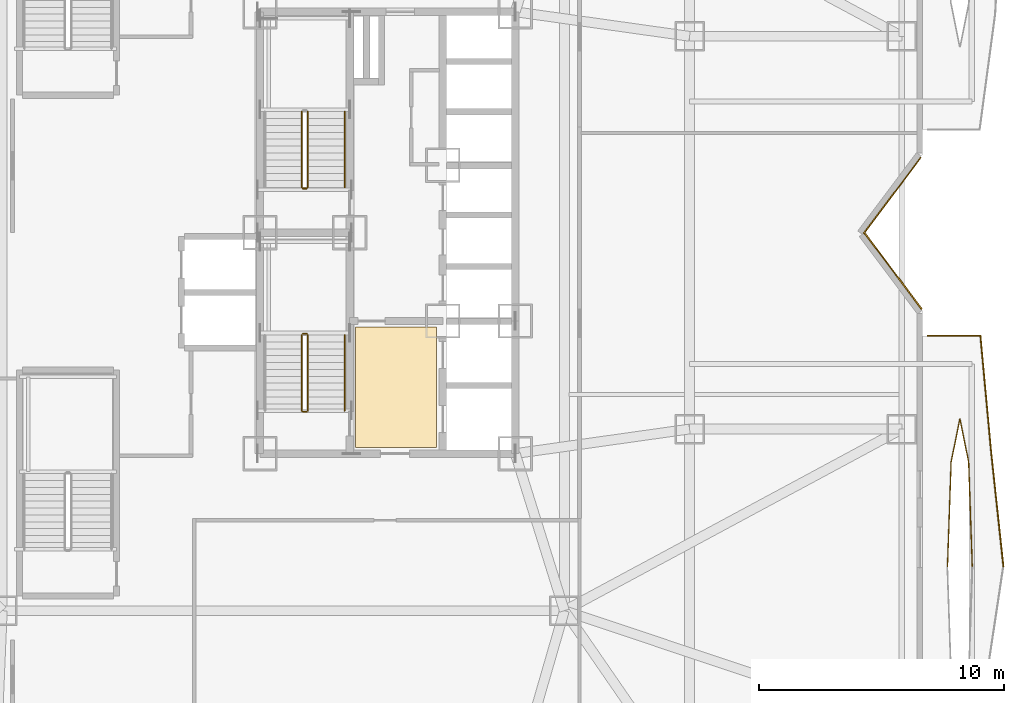
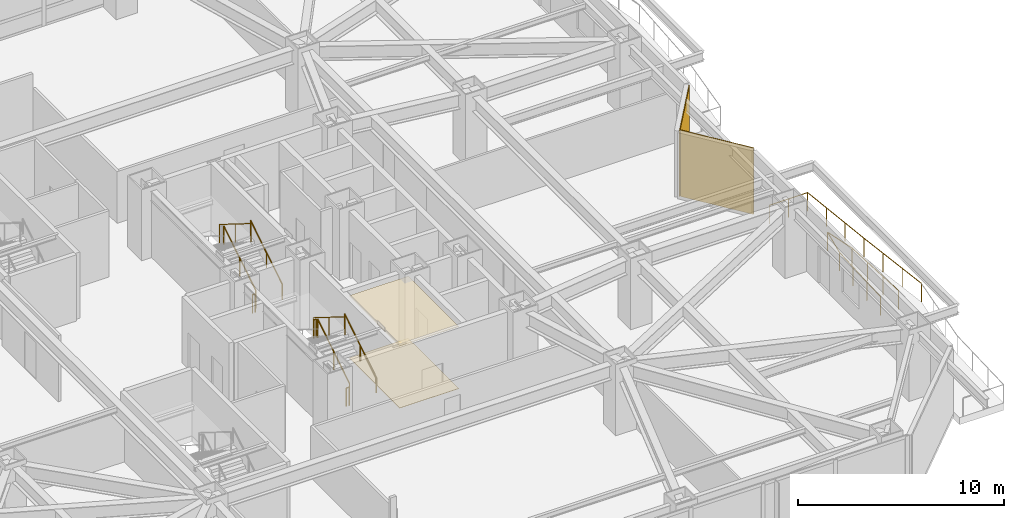
# One storey, part 29 of 32: 11 railings, 4 coverings.
"""IFC4 building model written with IfcOpenShell, lengths in metres."""

from ifc_helpers import new_model, si_unit, direction, frame, origin, origin_2d, place, context, subcontext, project, spatial, polyline, rectangle, circle, outline, extrude, material, layer, layer_set, type_object, element, save


model = new_model("IFC4")

# Units and contexts
model_context = context("Model", 3, precision=1e-05, world=origin(), true_north=direction((0.0, 1.0)))
body_context = subcontext(model_context, "Body", "Model", "MODEL_VIEW")
ifc_project = project(units=[si_unit("LENGTHUNIT", "METRE"), si_unit("AREAUNIT", "SQUARE_METRE"), si_unit("VOLUMEUNIT", "CUBIC_METRE"), si_unit("PLANEANGLEUNIT", "RADIAN"), si_unit("MASSUNIT", "GRAM", prefix="KILO")], contexts=[model_context])

# Site, building, storey
site_placement = place(None, origin())
site = spatial("IfcSite", under=ifc_project, at=site_placement, CompositionType="ELEMENT")
building_placement = place(site_placement, origin())
building = spatial("IfcBuilding", under=site, at=building_placement, Name="Khamvora Tower", CompositionType="ELEMENT")
storey_placement = place(building_placement, frame((0.0, 0.0, 12.0)))
storey = spatial("IfcBuildingStorey", under=building, at=storey_placement, Name="L02", CompositionType="ELEMENT", Elevation=12.0)

# Coverings
ifc_material_1 = material(Name="Perforated Mineral-Fibre Acoustic Ceiling Tile", Category="gypsum")
ifc_layer_1 = layer(ifc_material_1, 0.02490234375)
ifc_layer_set_1 = layer_set([ifc_layer_1], Name="Perforated Mineral-Fibre Acoustic Ceiling Tile")
covering_type_1 = type_object("IfcCoveringType", Name="COV-CEIL-600", PredefinedType="CEILING", material=ifc_layer_set_1)
covering_1_placement = place(storey_placement, frame((0.0, 0.0, 3.669921875)))
element("IfcCovering", 1, at=covering_1_placement, inside=storey, type_object=covering_type_1, Name="L02 core lobby suspended acoustic ceiling", PredefinedType="CEILING", context=body_context, shape_type="SweptSolid", body=[
    extrude(outline(polyline([(32.89990234375, 19.25), (36.199951171875, 19.25), (36.199951171875, 24.14990234375), (32.89990234375, 24.14990234375), (32.89990234375, 19.25)])), origin(), (0.0, 0.0, 1.0), 0.025146484375),
])
ifc_material_2 = material(Name="Pale Anodised Aluminium Rainscreen Panel", Category="aluminium")
ifc_layer_2 = layer(ifc_material_2, 0.044921875)
ifc_layer_set_2 = layer_set([ifc_layer_2], Name="Pale Anodised Aluminium Rainscreen Panel")
covering_type_2 = type_object("IfcCoveringType", Name="COV-CLD-ALU", PredefinedType="CLADDING", material=ifc_layer_set_2)
covering_2_placement = place(storey_placement, frame((54.756103515625, 29.511962890625, 0.0), z_axis=(0.0, 0.0, 1.0), x_axis=(-0.600040135704, -0.799969896649, 0.0)))
element("IfcCovering", 2, at=covering_2_placement, inside=storey, type_object=covering_type_2, Name="L02 chamfer rainscreen cladding 10.1", PredefinedType="CLADDING", context=body_context, shape_type="SweptSolid", body=[
    extrude(rectangle(XDim=3.885986328125, YDim=0.044921875, at=origin_2d()), origin(), (0.0, 0.0, 1.0), 3.919921875),
])
ifc_material_3 = material(Name="Anodised Bronze Aluminium Spandrel Panel", Category="aluminium")
ifc_layer_3 = layer(ifc_material_3, 0.054931640625)
ifc_layer_set_3 = layer_set([ifc_layer_3], Name="Anodised Bronze Aluminium Spandrel Panel")
covering_type_3 = type_object("IfcCoveringType", Name="COV-CLD-BRZ", PredefinedType="CLADDING", material=ifc_layer_set_3)
covering_3_placement = place(storey_placement, frame((54.806884765625, 26.4208984375, 0.0), z_axis=(0.0, 0.0, 1.0), x_axis=(0.600000000002, -0.799999999998, 0.0)))
element("IfcCovering", 3, at=covering_3_placement, inside=storey, type_object=covering_type_3, Name="L02 chamfer rainscreen cladding 11.1", PredefinedType="CLADDING", context=body_context, shape_type="SweptSolid", body=[
    extrude(rectangle(XDim=3.844970703125, YDim=0.054931640625, at=origin_2d()), origin(), (0.0, 0.0, 1.0), 3.919921875),
])
ifc_material_4 = material(Name="Honed Terrazzo Stone Tile", Category="masonry")
ifc_layer_4 = layer(ifc_material_4, 0.02001953125)
ifc_layer_set_4 = layer_set([ifc_layer_4], Name="Honed Terrazzo Stone Tile")
covering_type_4 = type_object("IfcCoveringType", Name="COV-FLOR-20", PredefinedType="FLOORING", material=ifc_layer_set_4)
covering_4_placement = place(storey_placement, origin())
element("IfcCovering", 4, at=covering_4_placement, inside=storey, type_object=covering_type_4, Name="L02 lift lobby terrazzo flooring", PredefinedType="FLOORING", context=body_context, shape_type="SweptSolid", body=[
    extrude(outline(polyline([(32.89990234375, 19.25), (36.199951171875, 19.25), (36.199951171875, 24.14990234375), (32.89990234375, 24.14990234375), (32.89990234375, 19.25)])), origin(), (0.0, 0.0, 1.0), 0.02001953125),
])

# Railings
ifc_material_5 = material(Name="Stainless Steel 316 and Laminated Glass", Category="steel")
railing_type_1 = type_object("IfcRailingType", Name="RAL-GAL-1120", PredefinedType="GUARDRAIL", material=ifc_material_5)
railing_1_placement = place(storey_placement, frame((59.2880859375, 14.39990234375, 0.0)))
element("IfcRailing", 5, at=railing_1_placement, inside=storey, type_object=railing_type_1, Name="L02 lens gallery north perimeter guardrail EL1", PredefinedType="GUARDRAIL", context=body_context, shape_type="SweptSolid", body=[
    extrude(circle(Radius=0.02392578125, at=origin_2d()), frame((0.0, 0.0, 1.09619140625), z_axis=(-0.106241333318, 0.994340373863, 0.0), x_axis=(-0.994340373863, -0.106241333318, 0.0)), (0.0, 0.0, 1.0), 4.72705078125),
    extrude(circle(Radius=0.02392578125, at=origin_2d()), frame((-0.502197265625, 4.7001953125, 1.09619140625), z_axis=(-0.092121283105, 0.995747793971, 0.0), x_axis=(-0.995747793971, -0.092121283105, 0.0)), (0.0, 0.0, 1.0), 4.719970703125),
    extrude(circle(Radius=0.02392578125, at=origin_2d()), frame((-0.93701171875, 9.400146484375, 1.09619140625), z_axis=(-1.0, 0.0, 0.0), x_axis=(0.0, -1.0, 0.0)), (0.0, 0.0, 1.0), 2.151123046875),
    extrude(circle(Radius=0.02099609375, at=origin_2d()), origin(), (0.0, 0.0, 1.0), 1.072021484375),
    extrude(circle(Radius=0.02099609375, at=origin_2d()), frame((-0.16748046875, 1.566650390625, 0.0)), (0.0, 0.0, 1.0), 1.072021484375),
    extrude(circle(Radius=0.02099609375, at=origin_2d()), frame((-0.334716796875, 3.133544921875, 0.0)), (0.0, 0.0, 1.0), 1.072021484375),
    extrude(circle(Radius=0.02099609375, at=origin_2d()), frame((-0.502197265625, 4.7001953125, 0.0)), (0.0, 0.0, 1.0), 1.072021484375),
    extrude(circle(Radius=0.02099609375, at=origin_2d()), frame((-0.647216796875, 6.266845703125, 0.0)), (0.0, 0.0, 1.0), 1.072021484375),
    extrude(circle(Radius=0.02099609375, at=origin_2d()), frame((-0.7919921875, 7.83349609375, 0.0)), (0.0, 0.0, 1.0), 1.072021484375),
    extrude(circle(Radius=0.02099609375, at=origin_2d()), frame((-0.93701171875, 9.400146484375, 0.0)), (0.0, 0.0, 1.0), 1.072021484375),
    extrude(circle(Radius=0.02099609375, at=origin_2d()), frame((-2.0126953125, 9.400146484375, 0.0)), (0.0, 0.0, 1.0), 1.072021484375),
    extrude(circle(Radius=0.02099609375, at=origin_2d()), frame((-3.088134765625, 9.400146484375, 0.0)), (0.0, 0.0, 1.0), 1.072021484375),
])
railing_2_placement = place(storey_placement, frame((58.01904296875, 14.39990234375, 0.0)))
element("IfcRailing", 6, at=railing_2_placement, inside=storey, type_object=railing_type_1, Name="L02 lens gallery void guardrail EL1A", PredefinedType="GUARDRAIL", context=body_context, shape_type="SweptSolid", body=[
    extrude(circle(Radius=0.02392578125, at=origin_2d()), frame((0.0, 0.0, 1.09619140625), z_axis=(-0.034756605959, 0.999395806646, 0.0), x_axis=(-0.999395806646, -0.034756605959, 0.0)), (0.0, 0.0, 1.0), 4.2568359375),
    extrude(circle(Radius=0.02392578125, at=origin_2d()), frame((-0.14794921875, 4.254150390625, 1.09619140625), z_axis=(-0.198152924969, 0.98017111686, 0.0), x_axis=(-0.98017111686, -0.198152924969, 0.0)), (0.0, 0.0, 1.0), 1.797607421875),
    extrude(circle(Radius=0.02392578125, at=origin_2d()), frame((-0.504150390625, 6.01611328125, 1.09619140625), z_axis=(-0.198022438185, -0.980197487232, 0.0), x_axis=(0.980197487232, -0.198022438185, 0.0)), (0.0, 0.0, 1.0), 1.797607421875),
    extrude(circle(Radius=0.02392578125, at=origin_2d()), frame((-0.860107421875, 4.254150390625, 1.09619140625), z_axis=(-0.034756605959, -0.999395806646, 0.0), x_axis=(0.999395806646, -0.034756605959, 0.0)), (0.0, 0.0, 1.0), 4.2568359375),
    extrude(circle(Radius=0.02099609375, at=origin_2d()), origin(), (0.0, 0.0, 1.0), 1.072021484375),
    extrude(circle(Radius=0.02099609375, at=origin_2d()), frame((-0.04931640625, 1.41796875, 0.0)), (0.0, 0.0, 1.0), 1.072021484375),
    extrude(circle(Radius=0.02099609375, at=origin_2d()), frame((-0.0986328125, 2.836181640625, 0.0)), (0.0, 0.0, 1.0), 1.072021484375),
    extrude(circle(Radius=0.02099609375, at=origin_2d()), frame((-0.14794921875, 4.254150390625, 0.0)), (0.0, 0.0, 1.0), 1.072021484375),
    extrude(circle(Radius=0.02099609375, at=origin_2d()), frame((-0.504150390625, 6.01611328125, 0.0)), (0.0, 0.0, 1.0), 1.072021484375),
    extrude(circle(Radius=0.02099609375, at=origin_2d()), frame((-0.860107421875, 4.254150390625, 0.0)), (0.0, 0.0, 1.0), 1.072021484375),
    extrude(circle(Radius=0.02099609375, at=origin_2d()), frame((-0.909423828125, 2.836181640625, 0.0)), (0.0, 0.0, 1.0), 1.072021484375),
    extrude(circle(Radius=0.02099609375, at=origin_2d()), frame((-0.958740234375, 1.41796875, 0.0)), (0.0, 0.0, 1.0), 1.072021484375),
    extrude(circle(Radius=0.02099609375, at=origin_2d()), frame((-1.008056640625, 0.0, 0.0)), (0.0, 0.0, 1.0), 1.072021484375),
])
ifc_material_6 = material(Name="Brushed Stainless Steel 316", Category="steel")
railing_type_2 = type_object("IfcRailingType", Name="RAL-HDR-920", PredefinedType="HANDRAIL", material=ifc_material_6)
railing_3_placement = place(storey_placement, frame((32.449951171875, 20.75, 0.175048828125)))
element("IfcRailing", 7, at=railing_3_placement, inside=storey, type_object=railing_type_2, Name="L02 ST-01 stair handrail 1", PredefinedType="HANDRAIL", context=body_context, shape_type="SweptSolid", body=[
    extrude(circle(Radius=0.02392578125, at=origin_2d()), frame((0.0, 0.0, 0.8759765625), z_axis=(0.0, 0.847998304005, 0.529998940003), x_axis=(-1.0, 0.0, 0.0)), (0.0, 0.0, 1.0), 3.632080078125),
    extrude(circle(Radius=0.02099609375, at=origin_2d()), origin(), (0.0, 0.0, 1.0), 0.851806640625),
    extrude(circle(Radius=0.02099609375, at=origin_2d()), frame((0.0, 1.5400390625, 0.96240234375)), (0.0, 0.0, 1.0), 0.851806640625),
    extrude(circle(Radius=0.02099609375, at=origin_2d()), frame((0.0, 3.080078125, 1.925048828125)), (0.0, 0.0, 1.0), 0.851806640625),
])
railing_4_placement = place(storey_placement, frame((32.449951171875, 29.85009765625, 0.175048828125)))
element("IfcRailing", 8, at=railing_4_placement, inside=storey, type_object=railing_type_2, Name="L02 ST-02 stair handrail 1", PredefinedType="HANDRAIL", context=body_context, shape_type="SweptSolid", body=[
    extrude(circle(Radius=0.02392578125, at=origin_2d()), frame((0.0, 0.0, 0.8759765625), z_axis=(0.0, 0.847979421464, 0.530029150871), x_axis=(-1.0, 0.0, 0.0)), (0.0, 0.0, 1.0), 3.632080078125),
    extrude(circle(Radius=0.02099609375, at=origin_2d()), origin(), (0.0, 0.0, 1.0), 0.851806640625),
    extrude(circle(Radius=0.02099609375, at=origin_2d()), frame((0.0, 1.5400390625, 0.96240234375)), (0.0, 0.0, 1.0), 0.851806640625),
    extrude(circle(Radius=0.02099609375, at=origin_2d()), frame((0.0, 3.079833984375, 1.925048828125)), (0.0, 0.0, 1.0), 0.851806640625),
])
ifc_material_7 = material(Name="Stainless Steel 316", Category="steel")
railing_type_3 = type_object("IfcRailingType", Name="RAL-STG-1100", PredefinedType="GUARDRAIL", material=ifc_material_7)
railing_5_placement = place(storey_placement, frame((30.949951171875, 20.75, 0.175048828125)))
element("IfcRailing", 9, at=railing_5_placement, inside=storey, type_object=railing_type_3, Name="L02 ST-01 stair guard 1", PredefinedType="GUARDRAIL", context=body_context, shape_type="SweptSolid", body=[
    extrude(circle(Radius=0.02392578125, at=origin_2d()), frame((0.0, 0.0, 1.076171875), z_axis=(0.0, 0.847998304005, 0.529998940003), x_axis=(-1.0, 0.0, 0.0)), (0.0, 0.0, 1.0), 3.632080078125),
    extrude(circle(Radius=0.02099609375, at=origin_2d()), origin(), (0.0, 0.0, 1.0), 1.052001953125),
    extrude(circle(Radius=0.02099609375, at=origin_2d()), frame((0.0, 1.5400390625, 0.96240234375)), (0.0, 0.0, 1.0), 1.052001953125),
    extrude(circle(Radius=0.02099609375, at=origin_2d()), frame((0.0, 3.080078125, 1.925048828125)), (0.0, 0.0, 1.0), 1.052001953125),
])
railing_6_placement = place(storey_placement, frame((30.89990234375, 23.8798828125, 2.10009765625)))
element("IfcRailing", 10, at=railing_6_placement, inside=storey, type_object=railing_type_3, Name="L02 ST-01 stair guard 2", PredefinedType="GUARDRAIL", context=body_context, shape_type="SweptSolid", body=[
    extrude(circle(Radius=0.02392578125, at=origin_2d()), frame((0.0, 0.0, 1.076171875), z_axis=(-1.0, 0.0, 0.0), x_axis=(0.0, -1.0, 0.0)), (0.0, 0.0, 1.0), 0.14990234375),
    extrude(circle(Radius=0.02099609375, at=origin_2d()), origin(), (0.0, 0.0, 1.0), 1.052001953125),
    extrude(circle(Radius=0.02099609375, at=origin_2d()), frame((-0.14990234375, 0.0, 0.0)), (0.0, 0.0, 1.0), 1.052001953125),
])
railing_7_placement = place(storey_placement, frame((30.699951171875, 23.830078125, 2.27490234375)))
element("IfcRailing", 11, at=railing_7_placement, inside=storey, type_object=railing_type_3, Name="L02 ST-01 stair guard 3", PredefinedType="GUARDRAIL", context=body_context, shape_type="SweptSolid", body=[
    extrude(circle(Radius=0.02392578125, at=origin_2d()), frame((0.0, 0.0, 1.076171875), z_axis=(0.0, -0.847998304005, 0.529998940003), x_axis=(1.0, 0.0, 0.0)), (0.0, 0.0, 1.0), 3.632080078125),
    extrude(circle(Radius=0.02099609375, at=origin_2d()), origin(), (0.0, 0.0, 1.0), 1.052001953125),
    extrude(circle(Radius=0.02099609375, at=origin_2d()), frame((0.0, -1.5400390625, 0.96240234375)), (0.0, 0.0, 1.0), 1.052001953125),
    extrude(circle(Radius=0.02099609375, at=origin_2d()), frame((0.0, -3.080078125, 1.925048828125)), (0.0, 0.0, 1.0), 1.052001953125),
])
railing_8_placement = place(storey_placement, frame((30.89990234375, 20.699951171875, 0.0)))
element("IfcRailing", 12, at=railing_8_placement, inside=storey, type_object=railing_type_3, Name="L02 ST-01 stair guard 4", PredefinedType="GUARDRAIL", context=body_context, shape_type="SweptSolid", body=[
    extrude(circle(Radius=0.02392578125, at=origin_2d()), frame((0.0, 0.0, 1.076171875), z_axis=(-1.0, 0.0, 0.0), x_axis=(0.0, -1.0, 0.0)), (0.0, 0.0, 1.0), 0.14990234375),
    extrude(circle(Radius=0.02099609375, at=origin_2d()), origin(), (0.0, 0.0, 1.0), 1.052001953125),
    extrude(circle(Radius=0.02099609375, at=origin_2d()), frame((-0.14990234375, 0.0, 0.0)), (0.0, 0.0, 1.0), 1.052001953125),
])
railing_9_placement = place(storey_placement, frame((30.949951171875, 29.85009765625, 0.175048828125)))
element("IfcRailing", 13, at=railing_9_placement, inside=storey, type_object=railing_type_3, Name="L02 ST-02 stair guard 1", PredefinedType="GUARDRAIL", context=body_context, shape_type="SweptSolid", body=[
    extrude(circle(Radius=0.02392578125, at=origin_2d()), frame((0.0, 0.0, 1.076171875), z_axis=(0.0, 0.847979421464, 0.530029150871), x_axis=(-1.0, 0.0, 0.0)), (0.0, 0.0, 1.0), 3.632080078125),
    extrude(circle(Radius=0.02099609375, at=origin_2d()), origin(), (0.0, 0.0, 1.0), 1.052001953125),
    extrude(circle(Radius=0.02099609375, at=origin_2d()), frame((0.0, 1.5400390625, 0.96240234375)), (0.0, 0.0, 1.0), 1.052001953125),
    extrude(circle(Radius=0.02099609375, at=origin_2d()), frame((0.0, 3.079833984375, 1.925048828125)), (0.0, 0.0, 1.0), 1.052001953125),
])
railing_10_placement = place(storey_placement, frame((30.699951171875, 32.929931640625, 2.27490234375)))
element("IfcRailing", 14, at=railing_10_placement, inside=storey, type_object=railing_type_3, Name="L02 ST-02 stair guard 3", PredefinedType="GUARDRAIL", context=body_context, shape_type="SweptSolid", body=[
    extrude(circle(Radius=0.02392578125, at=origin_2d()), frame((0.0, 0.0, 1.076171875), z_axis=(0.0, -0.847979421464, 0.530029150871), x_axis=(1.0, 0.0, 0.0)), (0.0, 0.0, 1.0), 3.632080078125),
    extrude(circle(Radius=0.02099609375, at=origin_2d()), origin(), (0.0, 0.0, 1.0), 1.052001953125),
    extrude(circle(Radius=0.02099609375, at=origin_2d()), frame((0.0, -1.5400390625, 0.96240234375)), (0.0, 0.0, 1.0), 1.052001953125),
    extrude(circle(Radius=0.02099609375, at=origin_2d()), frame((0.0, -3.079833984375, 1.925048828125)), (0.0, 0.0, 1.0), 1.052001953125),
])
railing_11_placement = place(storey_placement, frame((30.89990234375, 29.800048828125, 0.0)))
element("IfcRailing", 15, at=railing_11_placement, inside=storey, type_object=railing_type_3, Name="L02 ST-02 stair guard 4", PredefinedType="GUARDRAIL", context=body_context, shape_type="SweptSolid", body=[
    extrude(circle(Radius=0.02392578125, at=origin_2d()), frame((0.0, 0.0, 1.076171875), z_axis=(-1.0, 0.0, 0.0), x_axis=(0.0, -1.0, 0.0)), (0.0, 0.0, 1.0), 0.14990234375),
    extrude(circle(Radius=0.02099609375, at=origin_2d()), origin(), (0.0, 0.0, 1.0), 1.052001953125),
    extrude(circle(Radius=0.02099609375, at=origin_2d()), frame((-0.14990234375, 0.0, 0.0)), (0.0, 0.0, 1.0), 1.052001953125),
])

save(model, "model.ifc")
